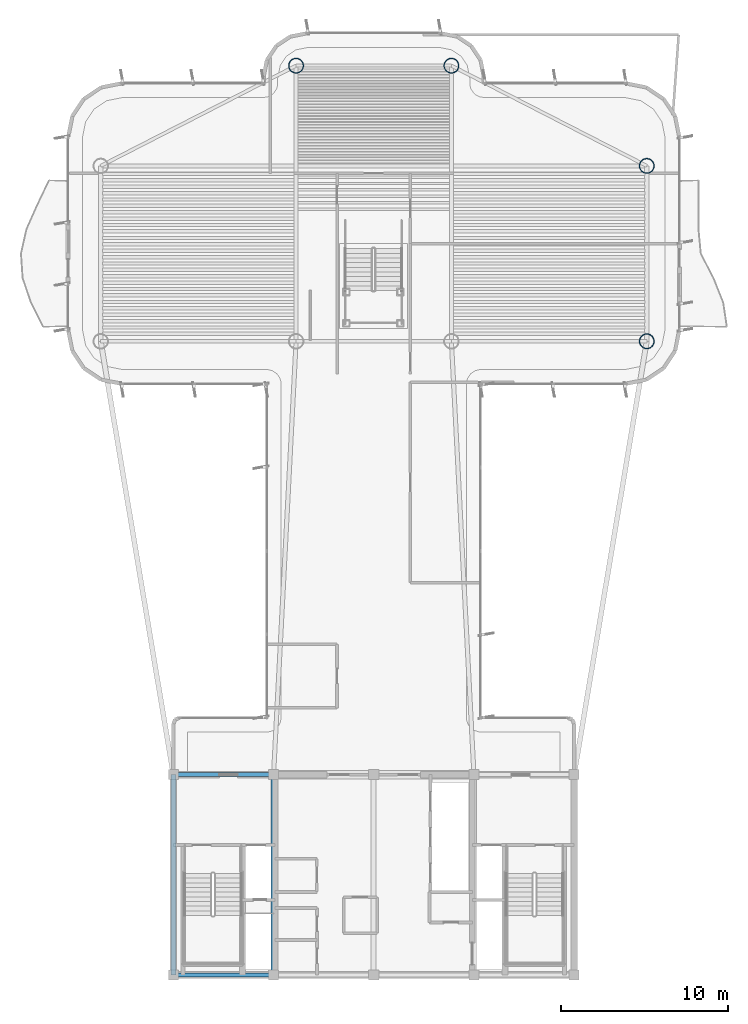
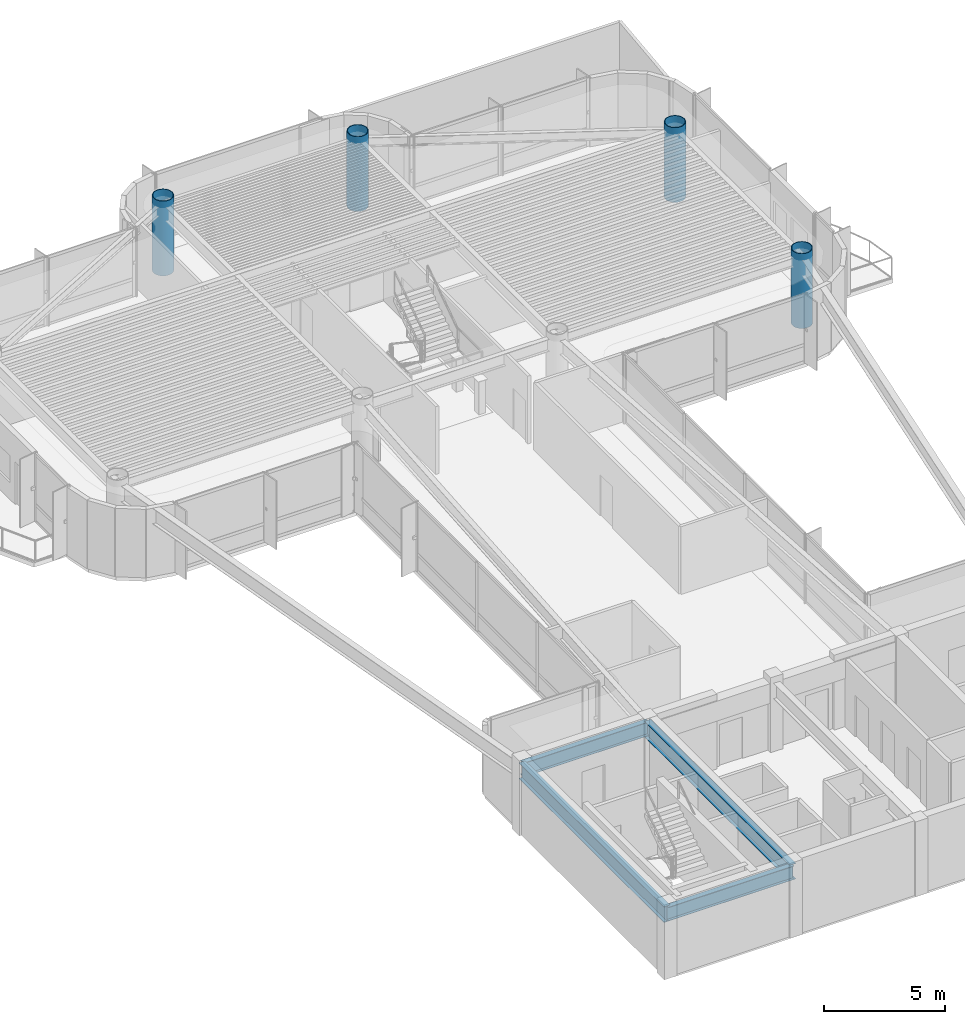
# One storey, part 2 of 17: 4 beams, 4 columns.
"""IFC4 building model written with IfcOpenShell, lengths in metres."""

from ifc_helpers import new_model, si_unit, direction, frame, origin, origin_2d, place, context, subcontext, project, spatial, hollow_circle, i_section, extrude, source, transform, mapped, material, material_profile, profile_set, type_object, element, save


model = new_model("IFC4")

# Units and contexts
model_context = context("Model", 3, precision=1e-05, world=origin(), true_north=direction((0.0, 1.0)))
body_context = subcontext(model_context, "Body", "Model", "MODEL_VIEW")
ifc_project = project(units=[si_unit("LENGTHUNIT", "METRE"), si_unit("AREAUNIT", "SQUARE_METRE"), si_unit("VOLUMEUNIT", "CUBIC_METRE"), si_unit("PLANEANGLEUNIT", "RADIAN"), si_unit("MASSUNIT", "GRAM", prefix="KILO")], contexts=[model_context])

# Site, building, storey
site_placement = place(None, origin())
site = spatial("IfcSite", under=ifc_project, at=site_placement, CompositionType="ELEMENT")
building_placement = place(site_placement, origin())
building = spatial("IfcBuilding", under=site, at=building_placement, Name="Brelvock Crest Care Tower", CompositionType="ELEMENT")
storey_placement = place(building_placement, frame((0.0, 0.0, 287.280029296875)))
storey = spatial("IfcBuildingStorey", under=building, at=storey_placement, Name="L73", CompositionType="ELEMENT", Elevation=287.280029296875)

# Columns
ifc_material = material(Name="Steel Grade 350", Category="steel")
ifc_material_profile_1 = material_profile(ifc_material, hollow_circle(Radius=0.449951171875, WallThickness=0.031982421875, at=origin_2d()), Name="CFT900x32")
ifc_profile_set_1 = profile_set([ifc_material_profile_1], Name="Steel Grade 350")
column_type = type_object("IfcColumnType", Name="COL-MC4", PredefinedType="COLUMN", material=ifc_profile_set_1)
shared_shape_1 = source(origin(), body_context, "Body", "SweptSolid", [
    extrude(hollow_circle(Radius=0.449951171875, WallThickness=0.031982421875, at=origin_2d()), origin(), (0.0, 0.0, 1.0), 3.780029296875),
])
for number, where, z_axis, x_axis, name in (
    (1, (52.35009765625, 43.949951171875, 0.0), (0.0, 0.0, 1.0), (1.0, 0.0, 0.0), "L73 Tower Column M3"),
    (2, (52.35009765625, 54.449951171875, 0.0), (0.0, 0.0, 1.0), (1.0, 0.0, 0.0), "L73 Tower Column M4"),
    (3, (31.35009765625, 60.449951171875, 0.0), (0.0, 0.0, 1.0), (1.0, 0.0, 0.0), "L73 Tower Column M7"),
    (4, (40.64990234375, 60.449951171875, 0.0), (0.0, 0.0, 1.0), (1.0, 0.0, 0.0), "L73 Tower Column M8"),
):
    element("IfcColumn", number, at=place(storey_placement, frame(where, z_axis=z_axis, x_axis=x_axis)), inside=storey, type_object=column_type, Name=name, PredefinedType="COLUMN", context=body_context, shape_type="MappedRepresentation", body=[
        mapped(shared_shape_1, transform((0.0, 0.0, 0.0), x_axis=(1.0, 0.0, 0.0), y_axis=(0.0, 1.0, 0.0), z_axis=(0.0, 0.0, 1.0), scale=1.0)),
    ])

# Beams
ifc_material_profile_2 = material_profile(ifc_material, i_section(OverallWidth=0.25, OverallDepth=0.699951171875, WebThickness=0.011962890625, FlangeThickness=0.02001953125, at=origin_2d()), Name="700WB150")
ifc_profile_set_2 = profile_set([ifc_material_profile_2], Name="Steel Grade 350")
beam_type_1 = type_object("IfcBeamType", Name="BM-G4", PredefinedType="BEAM", material=ifc_profile_set_2)
shared_shape_2 = source(origin(), body_context, "Body", "SweptSolid", [
    extrude(i_section(OverallWidth=0.25, OverallDepth=0.699951171875, WebThickness=0.011962890625, FlangeThickness=0.02001953125, at=origin_2d()), origin(), (0.0, 0.0, 1.0), 6.0),
])
for number, where, z_axis, x_axis, name in (
    (5, (24.0, 6.0, 3.10986328125), (1.0, 0.0, 0.0), (0.0, 1.0, 0.0), "BM-CORES-L73-1"),
    (6, (24.0, 18.0, 3.10986328125), (1.0, 0.0, 0.0), (0.0, 1.0, 0.0), "BM-COREN-L73-1"),
):
    element("IfcBeam", number, at=place(storey_placement, frame(where, z_axis=z_axis, x_axis=x_axis)), inside=storey, type_object=beam_type_1, Name=name, PredefinedType="BEAM", context=body_context, shape_type="MappedRepresentation", body=[
        mapped(shared_shape_2, transform((0.0, 0.0, 0.0), x_axis=(1.0, 0.0, 0.0), y_axis=(0.0, 1.0, 0.0), z_axis=(0.0, 0.0, 1.0), scale=1.0)),
    ])
ifc_material_profile_3 = material_profile(ifc_material, i_section(OverallWidth=0.300048828125, OverallDepth=0.800048828125, WebThickness=0.013916015625, FlangeThickness=0.02197265625, at=origin_2d()), Name="800WB192")
ifc_profile_set_3 = profile_set([ifc_material_profile_3], Name="Steel Grade 350")
beam_type_2 = type_object("IfcBeamType", Name="BM-G5", PredefinedType="BEAM", material=ifc_profile_set_3)
shared_shape_3 = source(origin(), body_context, "Body", "SweptSolid", [
    extrude(i_section(OverallWidth=0.300048828125, OverallDepth=0.800048828125, WebThickness=0.013916015625, FlangeThickness=0.02197265625, at=origin_2d()), origin(), (0.0, 0.0, 1.0), 12.0),
])
for number, where, z_axis, x_axis, name in (
    (7, (24.0, 6.0, 3.06005859375), (0.0, 1.0, 0.0), (-1.0, 0.0, 0.0), "BM-COREX-L73-1"),
    (8, (30.0, 6.0, 3.06005859375), (0.0, 1.0, 0.0), (-1.0, 0.0, 0.0), "BM-COREX-L73-2"),
):
    element("IfcBeam", number, at=place(storey_placement, frame(where, z_axis=z_axis, x_axis=x_axis)), inside=storey, type_object=beam_type_2, Name=name, PredefinedType="BEAM", context=body_context, shape_type="MappedRepresentation", body=[
        mapped(shared_shape_3, transform((0.0, 0.0, 0.0), x_axis=(1.0, 0.0, 0.0), y_axis=(0.0, 1.0, 0.0), z_axis=(0.0, 0.0, 1.0), scale=1.0)),
    ])

save(model, "model.ifc")
